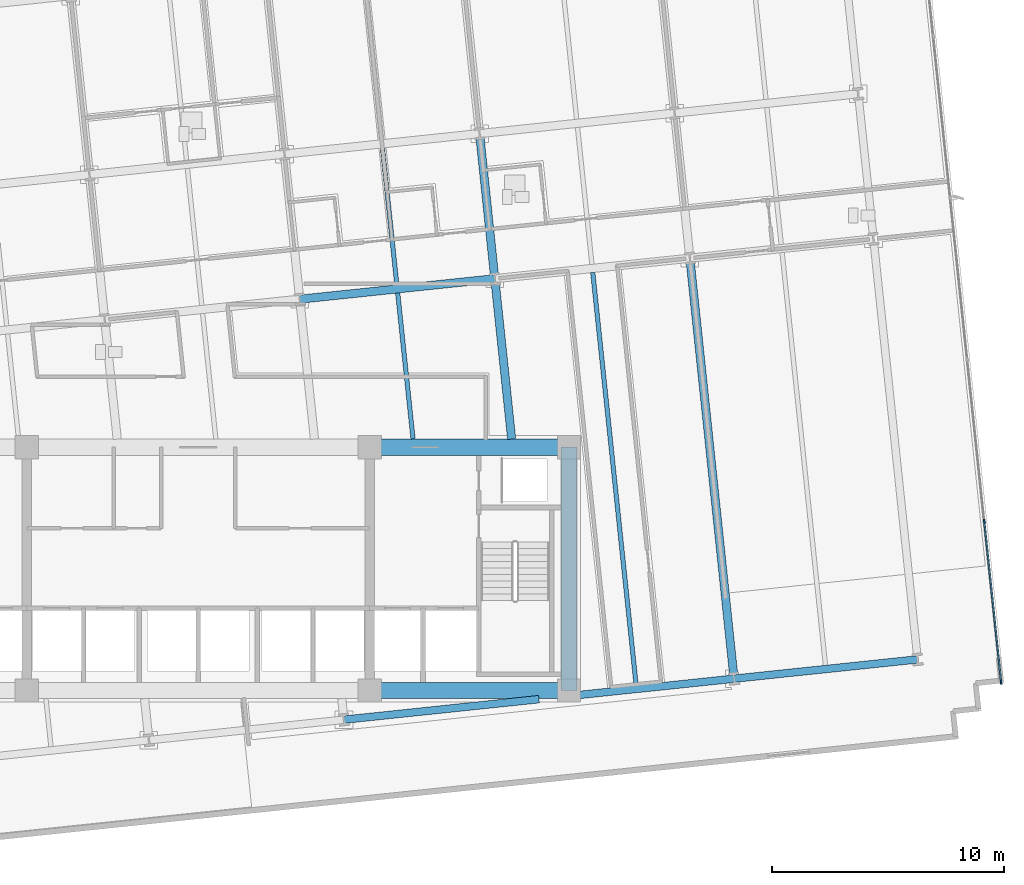
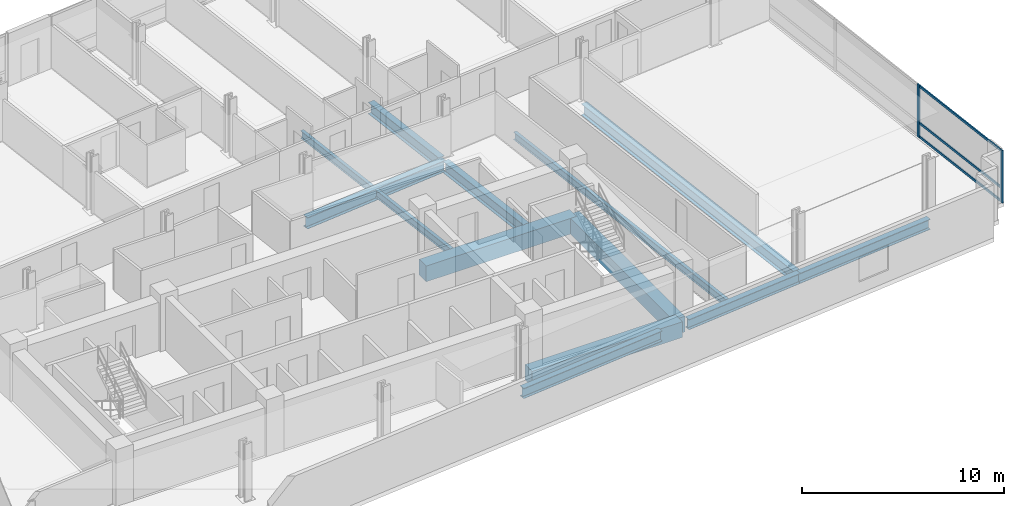
# One storey, part 4 of 17: 13 beams, 5 members, 1 element without a shape of its own.
"""IFC4 building model written with IfcOpenShell, lengths in metres."""

from ifc_helpers import new_model, si_unit, direction, frame, origin, origin_2d, place, context, subcontext, project, spatial, rectangle, i_section, extrude, material, material_profile, profile_set, type_object, element, aggregate, save


model = new_model("IFC4")

# Units and contexts
model_context = context("Model", 3, precision=1e-05, world=origin(), true_north=direction((0.0, 1.0)))
body_context = subcontext(model_context, "Body", "Model", "MODEL_VIEW")
ifc_project = project(units=[si_unit("LENGTHUNIT", "METRE"), si_unit("AREAUNIT", "SQUARE_METRE"), si_unit("VOLUMEUNIT", "CUBIC_METRE"), si_unit("PLANEANGLEUNIT", "RADIAN"), si_unit("MASSUNIT", "GRAM", prefix="KILO")], contexts=[model_context])

# Site, building, storey
site_placement = place(None, origin())
site = spatial("IfcSite", under=ifc_project, at=site_placement, CompositionType="ELEMENT")
building_placement = place(site_placement, origin())
building = spatial("IfcBuilding", under=site, at=building_placement, Name="Solmavex Isthmus Hotel", CompositionType="ELEMENT")
storey_placement = place(building_placement, frame((0.0, 0.0, 90.449951171875)))
storey = spatial("IfcBuildingStorey", under=building, at=storey_placement, Name="L24", CompositionType="ELEMENT", Elevation=90.449951171875)

# Beams
ifc_material_1 = material(Name="Steel ASTM A992 Grade 50", Category="steel")
ifc_material_profile_1 = material_profile(ifc_material_1, i_section(OverallWidth=0.354736328125, OverallDepth=0.695556640625, WebThickness=0.015380859375, FlangeThickness=0.02490234375, FilletRadius=0.017822265625, at=origin_2d()), Name="W27X146")
ifc_profile_set_1 = profile_set([ifc_material_profile_1], Name="Steel ASTM A992 Grade 50")
beam_type_1 = type_object("IfcBeamType", Name="BM-BG-W27X146", PredefinedType="BEAM", material=ifc_profile_set_1)
beam_1_placement = place(storey_placement, frame((4.38037109375, 3.888427734375, -0.607666015625), z_axis=(0.994521085209, 0.104536171134, 0.0), x_axis=(-0.104536171134, 0.994521085209, 0.0)))
element("IfcBeam", 1, at=beam_1_placement, inside=storey, type_object=beam_type_1, Name="Floor Girder L24-UG10", PredefinedType="BEAM", context=body_context, shape_type="SweptSolid", body=[
    extrude(i_section(OverallWidth=0.354736328125, OverallDepth=0.695556640625, WebThickness=0.015380859375, FlangeThickness=0.02490234375, FilletRadius=0.017822265625, at=origin_2d()), origin(), (0.0, 0.0, 1.0), 8.466064453125),
])
beam_2_placement = place(storey_placement, frame((13.52783203125, -2.14990234375, -0.607666015625), z_axis=(-0.104544283528, 0.994520232465, 0.0), x_axis=(-0.994520232465, -0.104544283528, 0.0)))
element("IfcBeam", 2, at=beam_2_placement, inside=storey, type_object=beam_type_1, Name="Floor Beam L24-VG40", PredefinedType="BEAM", context=body_context, shape_type="SweptSolid", body=[
    extrude(i_section(OverallWidth=0.354736328125, OverallDepth=0.695556640625, WebThickness=0.015380859375, FlangeThickness=0.02490234375, FilletRadius=0.017822265625, at=origin_2d()), origin(), (0.0, 0.0, 1.0), 6.783935546875),
])
beam_3_placement = place(storey_placement, frame((12.781494140625, 4.949951171875, -0.607666015625), z_axis=(-0.104505160346, 0.994524344328, 0.0), x_axis=(-0.994524344328, -0.104505160346, 0.0)))
element("IfcBeam", 3, at=beam_3_placement, inside=storey, type_object=beam_type_1, Name="Floor Beam L24-VG41", PredefinedType="BEAM", context=body_context, shape_type="SweptSolid", body=[
    extrude(i_section(OverallWidth=0.354736328125, OverallDepth=0.695556640625, WebThickness=0.015380859375, FlangeThickness=0.02490234375, FilletRadius=0.017822265625, at=origin_2d()), origin(), (0.0, 0.0, 1.0), 5.943115234375),
])
beam_4_placement = place(storey_placement, frame((23.1103515625, -12.329345703125, -0.607666015625), z_axis=(-0.104530088192, 0.99452172458, 0.0), x_axis=(-0.99452172458, -0.104530088192, 0.0)))
element("IfcBeam", 4, at=beam_4_placement, inside=storey, type_object=beam_type_1, Name="Floor Beam L24-VG43", PredefinedType="BEAM", context=body_context, shape_type="SweptSolid", body=[
    extrude(i_section(OverallWidth=0.354736328125, OverallDepth=0.695556640625, WebThickness=0.015380859375, FlangeThickness=0.02490234375, FilletRadius=0.017822265625, at=origin_2d()), origin(), (0.0, 0.0, 1.0), 17.909423828125),
])
ifc_material_profile_2 = material_profile(ifc_material_1, i_section(OverallWidth=0.1904296875, OverallDepth=0.456787109375, WebThickness=0.009033203125, FlangeThickness=0.014404296875, FilletRadius=0.0126953125, at=origin_2d()), Name="W18X50")
ifc_profile_set_2 = profile_set([ifc_material_profile_2], Name="Steel ASTM A992 Grade 50")
beam_type_2 = type_object("IfcBeamType", Name="BM-BJ-W18X50", PredefinedType="JOIST", material=ifc_profile_set_2)
beam_5_placement = place(storey_placement, frame((9.271484375, -2.14990234375, -0.48828125), z_axis=(-0.104524400071, 0.994522322419, 0.0), x_axis=(-0.994522322419, -0.104524400071, 0.0)))
element("IfcBeam", 5, at=beam_5_placement, inside=storey, type_object=beam_type_2, Name="Secondary Floor Joist L24-J13", PredefinedType="JOIST", context=body_context, shape_type="SweptSolid", body=[
    extrude(i_section(OverallWidth=0.1904296875, OverallDepth=0.456787109375, WebThickness=0.009033203125, FlangeThickness=0.014404296875, FilletRadius=0.0126953125, at=origin_2d()), origin(), (0.0, 0.0, 1.0), 6.339111328125),
])
beam_6_placement = place(storey_placement, frame((8.57177734375, 4.50732421875, -0.48828125), z_axis=(-0.104545790518, 0.994520074048, 0.0), x_axis=(-0.994520074048, -0.104545790518, 0.0)))
element("IfcBeam", 6, at=beam_6_placement, inside=storey, type_object=beam_type_2, Name="Secondary Floor Joist L24-J14", PredefinedType="JOIST", context=body_context, shape_type="SweptSolid", body=[
    extrude(i_section(OverallWidth=0.1904296875, OverallDepth=0.456787109375, WebThickness=0.009033203125, FlangeThickness=0.014404296875, FilletRadius=0.0126953125, at=origin_2d()), origin(), (0.0, 0.0, 1.0), 5.943115234375),
])
beam_7_placement = place(storey_placement, frame((18.900390625, -12.771728515625, -0.48828125), z_axis=(-0.104516605126, 0.994523141638, 0.0), x_axis=(-0.994523141638, -0.104516605126, 0.0)))
element("IfcBeam", 7, at=beam_7_placement, inside=storey, type_object=beam_type_2, Name="Secondary Floor Joist L24-J16", PredefinedType="JOIST", context=body_context, shape_type="SweptSolid", body=[
    extrude(i_section(OverallWidth=0.1904296875, OverallDepth=0.456787109375, WebThickness=0.009033203125, FlangeThickness=0.014404296875, FilletRadius=0.0126953125, at=origin_2d()), origin(), (0.0, 0.0, 1.0), 17.909423828125),
])
ifc_material_2 = material(Name="Concrete C60/75", Category="concrete")
ifc_material_profile_3 = material_profile(ifc_material_2, rectangle(XDim=0.699951171875, YDim=0.949951171875, at=origin_2d()), Name="RC700X950")
ifc_profile_set_3 = profile_set([ifc_material_profile_3], Name="Concrete C60/75")
beam_type_3 = type_object("IfcBeamType", Name="BM-CB-700X950", PredefinedType="BEAM", material=ifc_profile_set_3)
for number, where, z_axis, x_axis, name in (
    (8, (7.39990234375, -13.0, -0.73486328125), (1.0, 0.0, 0.0), (0.0, 1.0, 0.0), "Core Coupling Beam L24-CB3"),
    (9, (7.39990234375, -2.5, -0.73486328125), (1.0, 0.0, 0.0), (0.0, 1.0, 0.0), "Core Coupling Beam L24-CB6"),
):
    element("IfcBeam", number, at=place(storey_placement, frame(where, z_axis=z_axis, x_axis=x_axis)), inside=storey, type_object=beam_type_3, Name=name, PredefinedType="BEAM", context=body_context, shape_type="SweptSolid", body=[
        extrude(rectangle(XDim=0.699951171875, YDim=0.949951171875, at=origin_2d()), origin(), (0.0, 0.0, 1.0), 8.60009765625),
    ])
beam_8_placement = place(storey_placement, frame((16.0, -13.0, -0.73486328125), z_axis=(0.0, 1.0, 0.0), x_axis=(-1.0, 0.0, 0.0)))
element("IfcBeam", 10, at=beam_8_placement, inside=storey, type_object=beam_type_3, Name="Core Coupling Beam L24-CB8", PredefinedType="BEAM", context=body_context, shape_type="SweptSolid", body=[
    extrude(rectangle(XDim=0.699951171875, YDim=0.949951171875, at=origin_2d()), origin(), (0.0, 0.0, 1.0), 10.5),
])
ifc_material_profile_4 = material_profile(ifc_material_1, i_section(OverallWidth=0.326416015625, OverallDepth=0.621826171875, WebThickness=0.015380859375, FlangeThickness=0.0244140625, FilletRadius=0.01513671875, at=origin_2d()), Name="W24X131")
ifc_profile_set_4 = profile_set([ifc_material_profile_4], Name="Steel ASTM A992 Grade 50")
beam_type_4 = type_object("IfcBeamType", Name="BM-SP-W24X131", PredefinedType="SPANDREL", material=ifc_profile_set_4)
beam_9_placement = place(storey_placement, frame((6.2880859375, -14.261474609375, -0.57080078125), z_axis=(0.994524082861, 0.104507648572, 0.0), x_axis=(-0.104507648572, 0.994524082861, 0.0)))
element("IfcBeam", 11, at=beam_9_placement, inside=storey, type_object=beam_type_4, Name="Floor Girder L24-UG04", PredefinedType="SPANDREL", context=body_context, shape_type="SweptSolid", body=[
    extrude(i_section(OverallWidth=0.326416015625, OverallDepth=0.621826171875, WebThickness=0.015380859375, FlangeThickness=0.0244140625, FilletRadius=0.01513671875, at=origin_2d()), origin(), (0.0, 0.0, 1.0), 8.466064453125),
])
beam_10_placement = place(storey_placement, frame((16.35009765625, -13.2041015625, -0.57080078125), z_axis=(0.994520754079, 0.10453932134, 0.0), x_axis=(-0.10453932134, 0.994520754079, 0.0)))
element("IfcBeam", 12, at=beam_10_placement, inside=storey, type_object=beam_type_4, Name="Floor Girder L24-UG05", PredefinedType="SPANDREL", context=body_context, shape_type="SweptSolid", body=[
    extrude(i_section(OverallWidth=0.326416015625, OverallDepth=0.621826171875, WebThickness=0.015380859375, FlangeThickness=0.0244140625, FilletRadius=0.01513671875, at=origin_2d()), origin(), (0.0, 0.0, 1.0), 6.814697265625),
])
beam_11_placement = place(storey_placement, frame((23.12744140625, -12.49169921875, -0.57080078125), z_axis=(0.994520217478, 0.10454442609, 0.0), x_axis=(-0.10454442609, 0.994520217478, 0.0)))
element("IfcBeam", 13, at=beam_11_placement, inside=storey, type_object=beam_type_4, Name="Floor Girder L24-UG06", PredefinedType="SPANDREL", context=body_context, shape_type="SweptSolid", body=[
    extrude(i_section(OverallWidth=0.326416015625, OverallDepth=0.621826171875, WebThickness=0.015380859375, FlangeThickness=0.0244140625, FilletRadius=0.01513671875, at=origin_2d()), origin(), (0.0, 0.0, 1.0), 7.968017578125),
])

# Curtain wall, members
ifc_material_3 = material(Name="Aluminium alloy 6063-T6", Category="aluminium")
curtain_wall_type = type_object("IfcCurtainWallType", Name="CW-SYS-03", PredefinedType="NOTDEFINED", material=ifc_material_3)
curtain_wall_placement = place(storey_placement, origin())
curtain_wall = element("IfcCurtainWall", 14, at=curtain_wall_placement, inside=storey, type_object=curtain_wall_type, Name="Stick Curtain Wall CWL-L24-E1", PredefinedType="NOTDEFINED")
ifc_material_profile_5 = material_profile(ifc_material_3, rectangle(XDim=0.070068359375, YDim=0.179931640625, at=origin_2d()), Name="CWM-70X180")
ifc_profile_set_5 = profile_set([ifc_material_profile_5], Name="Aluminium alloy 6063-T6")
member_type_1 = type_object("IfcMemberType", Name="CW-SYS-03-MUL", PredefinedType="MULLION", material=ifc_profile_set_5)
member_1_placement = place(storey_placement, frame((34.6552734375, -12.652587890625, 0.0), z_axis=(0.0, 0.0, 1.0), x_axis=(-0.994521893044, -0.104528485381, 0.0)))
member_1 = element("IfcMember", 15, at=member_1_placement, type_object=member_type_1, Name="CW-03 mullion 1", PredefinedType="MULLION", context=body_context, shape_type="SweptSolid", body=[
    extrude(rectangle(XDim=0.070068359375, YDim=0.179931640625, at=origin_2d()), origin(), (0.0, 0.0, 1.0), 3.18994140625),
])
member_2_placement = place(storey_placement, frame((33.92529296875, -5.705810546875, 0.0), z_axis=(0.0, 0.0, 1.0), x_axis=(-0.994521893044, -0.104528485381, 0.0)))
member_2 = element("IfcMember", 16, at=member_2_placement, type_object=member_type_1, Name="CW-03 mullion 2", PredefinedType="MULLION", context=body_context, shape_type="SweptSolid", body=[
    extrude(rectangle(XDim=0.070068359375, YDim=0.179931640625, at=origin_2d()), origin(), (0.0, 0.0, 1.0), 3.18994140625),
])
ifc_material_profile_6 = material_profile(ifc_material_3, rectangle(XDim=0.070068359375, YDim=0.139892578125, at=origin_2d()), Name="CWT-70X140")
ifc_profile_set_6 = profile_set([ifc_material_profile_6], Name="Aluminium alloy 6063-T6")
member_type_2 = type_object("IfcMemberType", Name="CW-SYS-03-TRN", PredefinedType="USERDEFINED", material=ifc_profile_set_6)
member_3_placement = place(storey_placement, frame((34.651611328125, -12.61767578125, 0.070068359375), z_axis=(-0.104508345235, 0.994524009653, 0.0), x_axis=(-0.994524009653, -0.104508345235, 0.0)))
member_3 = element("IfcMember", 17, at=member_3_placement, type_object=member_type_2, Name="CW-03 transom 1.1", ObjectType="TRANSOM", PredefinedType="USERDEFINED", context=body_context, shape_type="SweptSolid", body=[
    extrude(rectangle(XDim=0.070068359375, YDim=0.139892578125, at=origin_2d()), origin(), (0.0, 0.0, 1.0), 6.914794921875),
])
member_4_placement = place(storey_placement, frame((34.651611328125, -12.61767578125, 0.900146484375), z_axis=(-0.104508345235, 0.994524009653, 0.0), x_axis=(-0.994524009653, -0.104508345235, 0.0)))
member_4 = element("IfcMember", 18, at=member_4_placement, type_object=member_type_2, Name="CW-03 transom 1.2", ObjectType="TRANSOM", PredefinedType="USERDEFINED", context=body_context, shape_type="SweptSolid", body=[
    extrude(rectangle(XDim=0.070068359375, YDim=0.139892578125, at=origin_2d()), origin(), (0.0, 0.0, 1.0), 6.914794921875),
])
member_5_placement = place(storey_placement, frame((34.651611328125, -12.61767578125, 3.1201171875), z_axis=(-0.104508345235, 0.994524009653, 0.0), x_axis=(-0.994524009653, -0.104508345235, 0.0)))
member_5 = element("IfcMember", 19, at=member_5_placement, type_object=member_type_2, Name="CW-03 transom 1.3", ObjectType="TRANSOM", PredefinedType="USERDEFINED", context=body_context, shape_type="SweptSolid", body=[
    extrude(rectangle(XDim=0.070068359375, YDim=0.139892578125, at=origin_2d()), origin(), (0.0, 0.0, 1.0), 6.914794921875),
])
aggregate(curtain_wall, [member_1, member_2, member_3, member_4, member_5])

save(model, "model.ifc")
